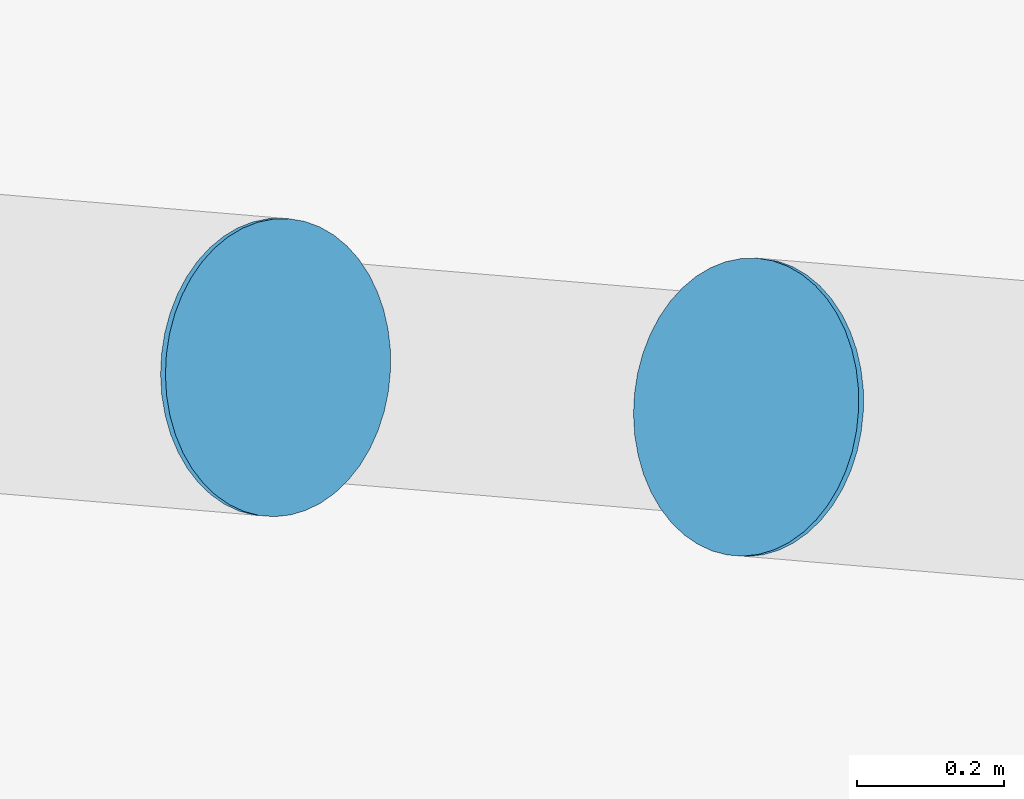
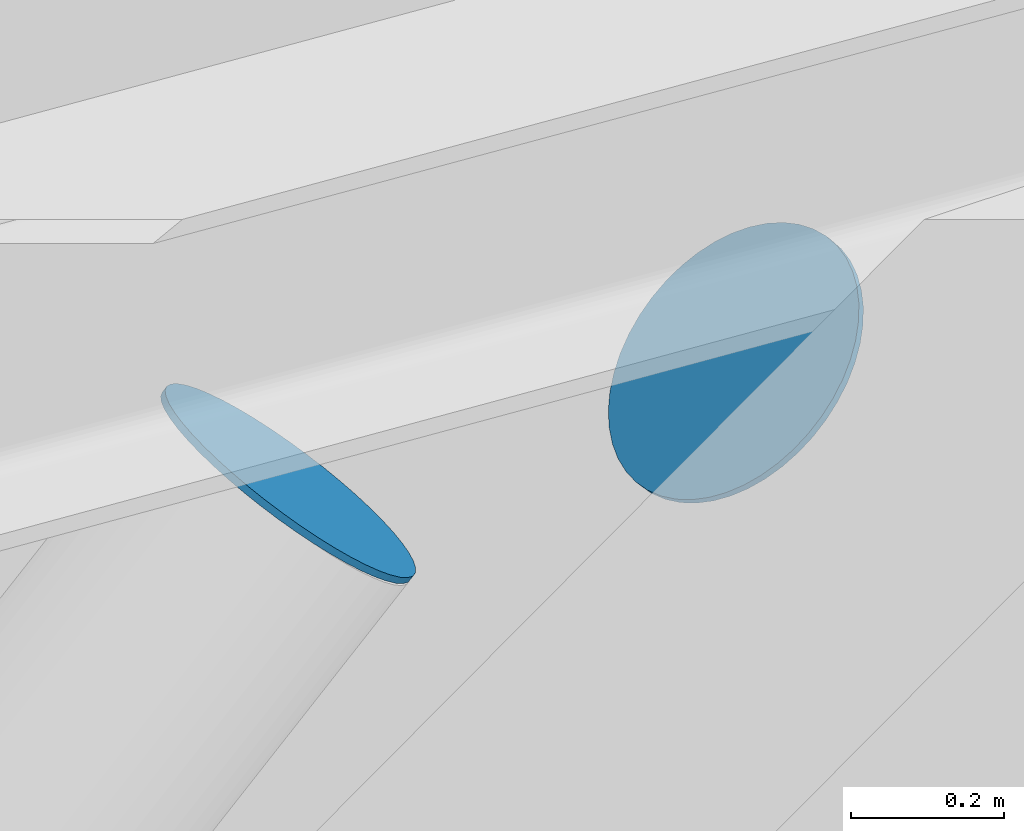
# One storey, part 21 of 35: 2 discrete accessories.
"""IFC4 building model written with IfcOpenShell, lengths in metres."""

from ifc_helpers import new_model, si_unit, direction, frame, origin, origin_2d, place, context, subcontext, project, spatial, circle, extrude, material, material_profile, profile_set, type_object, element, save


model = new_model("IFC4")

# Units and contexts
model_context = context("Model", 3, precision=1e-05, world=origin(), true_north=direction((0.0, 1.0)))
body_context = subcontext(model_context, "Body", "Model", "MODEL_VIEW")
ifc_project = project(units=[si_unit("LENGTHUNIT", "METRE"), si_unit("AREAUNIT", "SQUARE_METRE"), si_unit("VOLUMEUNIT", "CUBIC_METRE"), si_unit("PLANEANGLEUNIT", "RADIAN"), si_unit("MASSUNIT", "GRAM", prefix="KILO")], contexts=[model_context])

# Site, building, storey
site_placement = place(None, origin())
site = spatial("IfcSite", under=ifc_project, at=site_placement, CompositionType="ELEMENT")
building_placement = place(site_placement, origin())
building = spatial("IfcBuilding", under=site, at=building_placement, Name="Wharfspan Tower", CompositionType="ELEMENT")
storey_placement = place(building_placement, frame((0.0, 0.0, 202.300049)))
storey = spatial("IfcBuildingStorey", under=building, at=storey_placement, Name="L50", CompositionType="ELEMENT", Elevation=202.300049)

# Discrete accessories
ifc_material = material(Name="Steel S460NH", Category="steel")
ifc_material_profile = material_profile(ifc_material, circle(Radius=0.203125, at=origin_2d()))
ifc_profile_set = profile_set([ifc_material_profile], Name="Steel S460NH")
discrete_accessory_type = type_object("IfcDiscreteAccessoryType", Name="End plate CHS 406x16", PredefinedType="BRACKET", material=ifc_profile_set)
for number, where, z_axis, x_axis, name in (
    (1, (38.272217, 4.849365, 3.813721), (0.656005, -0.048593, 0.753191), (0.073872, 0.997271, 0.0), "End plate CHS 406x16"),
    (2, (38.915771, 4.795166, 3.821289), (0.656005, -0.048593, -0.753191), (0.073872, 0.997271, 0.0), "End plate CHS 406x16"),
):
    element("IfcDiscreteAccessory", number, at=place(storey_placement, frame(where, z_axis=z_axis, x_axis=x_axis)), inside=storey, type_object=discrete_accessory_type, Name=name, PredefinedType="BRACKET", context=body_context, shape_type="SweptSolid", body=[
        extrude(circle(Radius=0.203125, at=origin_2d()), origin(), (0.0, 0.0, 1.0), 0.01001),
    ])

save(model, "model.ifc")
